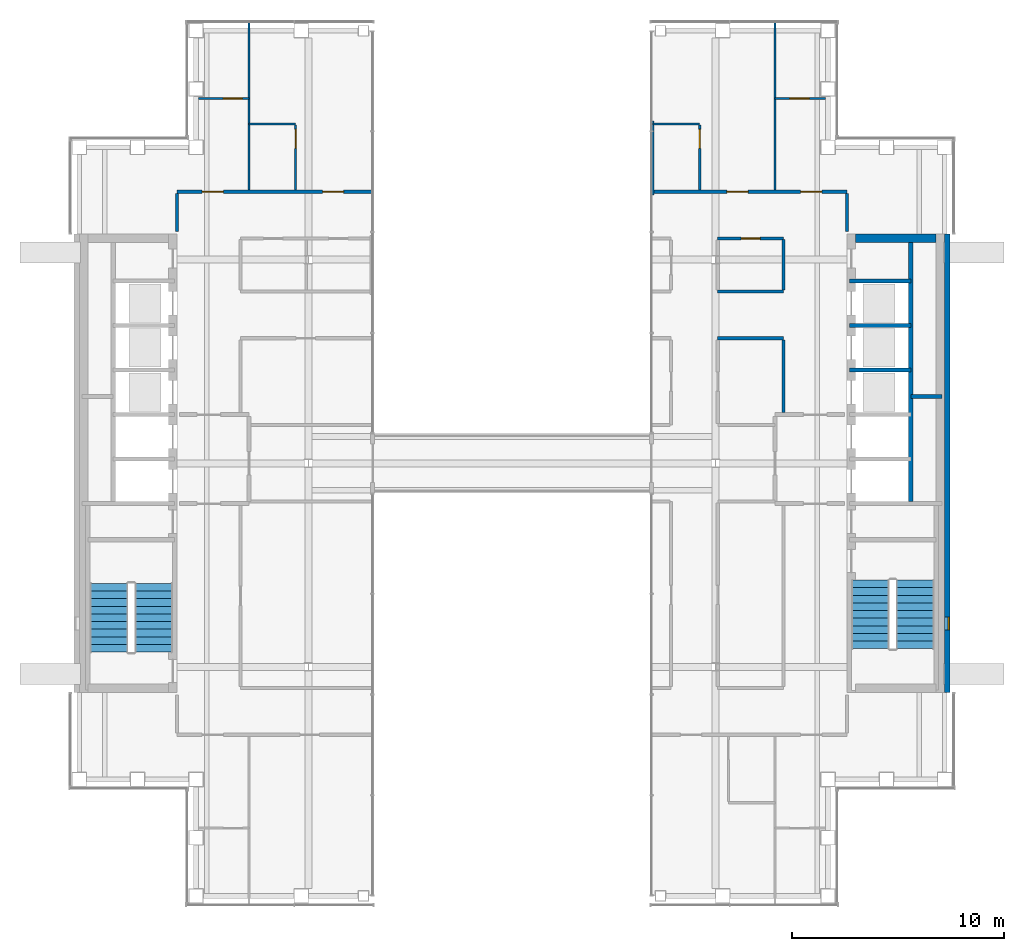
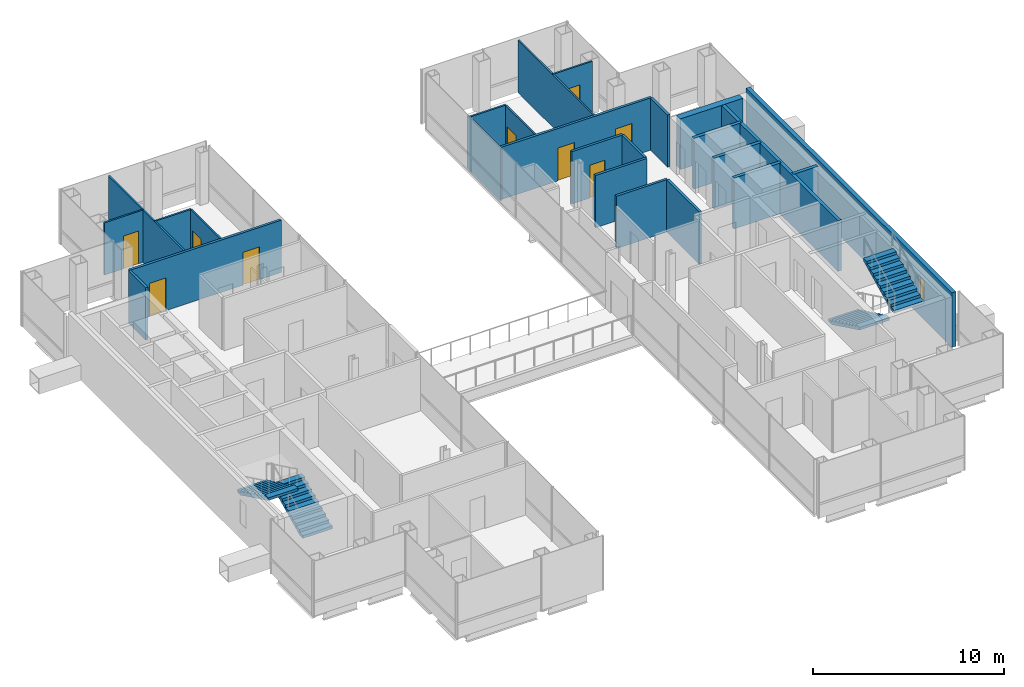
# One storey, part 14 of 16: 25 walls, 9 doors, 4 stair flights, 1 window, 10 openings, 2 elements without a shape of their own.
"""IFC4 building model written with IfcOpenShell, lengths in metres."""

from ifc_helpers import new_model, si_unit, direction, frame, frame_2d, origin, place, context, subcontext, project, spatial, polyline, rectangle, outline, extrude, material, layer, layer_set, type_object, element, fill, aggregate, save


model = new_model("IFC4")

# Units and contexts
model_context = context("Model", 3, precision=1e-05, world=origin(), true_north=direction((0.0, 1.0)))
body_context = subcontext(model_context, "Body", "Model", "MODEL_VIEW")
ifc_project = project(units=[si_unit("LENGTHUNIT", "METRE"), si_unit("AREAUNIT", "SQUARE_METRE"), si_unit("VOLUMEUNIT", "CUBIC_METRE"), si_unit("PLANEANGLEUNIT", "RADIAN"), si_unit("MASSUNIT", "GRAM", prefix="KILO")], contexts=[model_context])

# Site, building, storey
site_placement = place(None, origin())
site = spatial("IfcSite", under=ifc_project, at=site_placement, CompositionType="ELEMENT")
building_placement = place(site_placement, origin())
building = spatial("IfcBuilding", under=site, at=building_placement, Name="Cobrizo Arcos Hotel Tower", CompositionType="ELEMENT")
storey_placement = place(building_placement, frame((0.0, 0.0, 229.5)))
storey = spatial("IfcBuildingStorey", under=building, at=storey_placement, Name="L60", CompositionType="ELEMENT", Elevation=229.5)

# Walls
ifc_material_1 = material(Name="Gypsum board partition")
ifc_layer_1 = layer(ifc_material_1, 0.14990234375)
ifc_layer_set_1 = layer_set([ifc_layer_1], Name="Corridor wall EI 60 150")
wall_type_1 = type_object("IfcWallType", Name="Corridor wall EI 60 150", PredefinedType="PARTITIONING", material=ifc_layer_set_1)
for number, where, z_axis, x_axis, name in (
    (1, (9.699951171875, 5.89990234375, 0.0), (0.0, 0.0, 1.0), (1.0, 0.0, 0.0), "Partition 033"),
    (2, (9.699951171875, 8.10009765625, 0.0), (0.0, 0.0, 1.0), (1.0, 0.0, 0.0), "Partition 038"),
):
    element("IfcWall", number, at=place(storey_placement, frame(where, z_axis=z_axis, x_axis=x_axis)), inside=storey, type_object=wall_type_1, Name=name, PredefinedType="PARTITIONING", context=body_context, shape_type="SweptSolid", body=[
        extrude(rectangle(XDim=3.10009765625, YDim=0.14990234375, at=frame_2d((1.550048828125, 0.0))), origin(), (0.0, 0.0, 1.0), 3.35009765625),
    ])

# Wall, opening, door
wall_1_placement = place(storey_placement, frame((9.699951171875, 10.60009765625, 0.0), z_axis=(0.0, 0.0, 1.0), x_axis=(1.0, 0.0, 0.0)))
wall_1 = element("IfcWall", 3, at=wall_1_placement, inside=storey, type_object=wall_type_1, Name="Partition 043", PredefinedType="PARTITIONING", context=body_context, shape_type="SweptSolid", body=[
    extrude(rectangle(XDim=3.10009765625, YDim=0.14990234375, at=frame_2d((1.550048828125, 0.0))), origin(), (0.0, 0.0, 1.0), 3.35009765625),
])
opening_1_placement = place(wall_1_placement, frame((1.10009765625, 0.0, 0.0)))
opening_1 = element("IfcOpeningElement", 4, at=opening_1_placement, cuts=wall_1, Name="Opening RD-07", PredefinedType="OPENING", context=body_context, shape_type="SweptSolid", body=[
    extrude(rectangle(XDim=0.89990234375, YDim=2.10009765625, at=frame_2d((0.449951171875, 1.050048828125))), frame((0.0, 0.0869140625, 0.0), z_axis=(0.0, -1.0, 0.0), x_axis=(1.0, 0.0, 0.0)), (0.0, 0.0, 1.0), 0.173828125),
])
ifc_material_2 = material(Name="Timber door leaf", Category="wood")
door_type_1 = type_object("IfcDoorType", Name="Room door FD30 900x2100", OperationType="SINGLE_SWING_LEFT", PredefinedType="DOOR", material=ifc_material_2)
door_1_placement = place(opening_1_placement, origin())
door_1 = element("IfcDoor", 5, at=door_1_placement, inside=storey, type_object=door_type_1, Name="Door RD-07", OperationType="SINGLE_SWING_RIGHT", OverallHeight=2.10009765625, OverallWidth=0.89990234375, PredefinedType="DOOR", context=body_context, shape_type="SweptSolid", body=[
    extrude(rectangle(XDim=0.89990234375, YDim=2.10009765625, at=frame_2d((0.449951171875, 1.050048828125))), frame((0.0, 0.02490234375, 0.0), z_axis=(0.0, -1.0, 0.0), x_axis=(1.0, 0.0, 0.0)), (0.0, 0.0, 1.0), 0.050048828125),
])
fill(opening_1, door_1)

# Wall, openings, doors
wall_2_placement = place(storey_placement, frame((-15.800048828125, 12.800048828125, 0.0), z_axis=(0.0, 0.0, 1.0), x_axis=(1.0, 0.0, 0.0)))
wall_2 = element("IfcWall", 6, at=wall_2_placement, inside=storey, type_object=wall_type_1, Name="Partition 044", PredefinedType="PARTITIONING", context=body_context, shape_type="SweptSolid", body=[
    extrude(rectangle(XDim=9.179931640625, YDim=0.14990234375, at=frame_2d((4.58984375, 0.0))), origin(), (0.0, 0.0, 1.0), 3.35009765625),
])
opening_2_placement = place(wall_2_placement, frame((6.866943359375, 0.0, 0.0)))
opening_2 = element("IfcOpeningElement", 7, at=opening_2_placement, cuts=wall_2, Name="Opening GD-02", PredefinedType="OPENING", context=body_context, shape_type="SweptSolid", body=[
    extrude(rectangle(XDim=1.0, YDim=2.10009765625, at=frame_2d((0.5, 1.050048828125))), frame((0.0, 0.0869140625, 0.0), z_axis=(0.0, -1.0, 0.0), x_axis=(1.0, 0.0, 0.0)), (0.0, 0.0, 1.0), 0.173828125),
])
opening_3_placement = place(wall_2_placement, frame((1.19189453125, 0.0, 0.0)))
opening_3 = element("IfcOpeningElement", 8, at=opening_3_placement, cuts=wall_2, Name="Opening GD-05", PredefinedType="OPENING", context=body_context, shape_type="SweptSolid", body=[
    extrude(rectangle(XDim=1.0, YDim=2.10009765625, at=frame_2d((0.5, 1.050048828125))), frame((0.0, 0.0869140625, 0.0), z_axis=(0.0, -1.0, 0.0), x_axis=(1.0, 0.0, 0.0)), (0.0, 0.0, 1.0), 0.173828125),
])
door_type_2 = type_object("IfcDoorType", Name="Guest room door FD30S 1000x2100", OperationType="SINGLE_SWING_LEFT", PredefinedType="DOOR", material=ifc_material_2)
door_2_placement = place(opening_2_placement, origin())
door_2 = element("IfcDoor", 9, at=door_2_placement, inside=storey, type_object=door_type_2, Name="Door GD-02", OperationType="SINGLE_SWING_LEFT", OverallHeight=2.10009765625, OverallWidth=1.0, PredefinedType="DOOR", context=body_context, shape_type="SweptSolid", body=[
    extrude(rectangle(XDim=1.0, YDim=2.10009765625, at=frame_2d((0.5, 1.050048828125))), frame((0.0, 0.02490234375, 0.0), z_axis=(0.0, -1.0, 0.0), x_axis=(1.0, 0.0, 0.0)), (0.0, 0.0, 1.0), 0.050048828125),
])
fill(opening_2, door_2)
door_3_placement = place(opening_3_placement, origin())
door_3 = element("IfcDoor", 10, at=door_3_placement, inside=storey, type_object=door_type_2, Name="Door GD-05", OperationType="SINGLE_SWING_RIGHT", OverallHeight=2.10009765625, OverallWidth=1.0, PredefinedType="DOOR", context=body_context, shape_type="SweptSolid", body=[
    extrude(rectangle(XDim=1.0, YDim=2.10009765625, at=frame_2d((0.5, 1.050048828125))), frame((0.0, 0.02490234375, 0.0), z_axis=(0.0, -1.0, 0.0), x_axis=(1.0, 0.0, 0.0)), (0.0, 0.0, 1.0), 0.050048828125),
])
fill(opening_3, door_3)

wall_3_placement = place(storey_placement, frame((6.64990234375, 12.800048828125, 0.0), z_axis=(0.0, 0.0, 1.0), x_axis=(1.0, 0.0, 0.0)))
wall_3 = element("IfcWall", 11, at=wall_3_placement, inside=storey, type_object=wall_type_1, Name="Partition 045", PredefinedType="PARTITIONING", context=body_context, shape_type="SweptSolid", body=[
    extrude(rectangle(XDim=9.150146484375, YDim=0.14990234375, at=frame_2d((4.5751953125, 0.0))), origin(), (0.0, 0.0, 1.0), 3.35009765625),
])
opening_4_placement = place(wall_3_placement, frame((3.48291015625, 0.0, 0.0)))
opening_4 = element("IfcOpeningElement", 12, at=opening_4_placement, cuts=wall_3, Name="Opening GD-01", PredefinedType="OPENING", context=body_context, shape_type="SweptSolid", body=[
    extrude(rectangle(XDim=1.0, YDim=2.10009765625, at=frame_2d((0.5, 1.050048828125))), frame((0.0, 0.0869140625, 0.0), z_axis=(0.0, -1.0, 0.0), x_axis=(1.0, 0.0, 0.0)), (0.0, 0.0, 1.0), 0.173828125),
])
opening_5_placement = place(wall_3_placement, frame((6.9580078125, 0.0, 0.0)))
opening_5 = element("IfcOpeningElement", 13, at=opening_5_placement, cuts=wall_3, Name="Opening GD-07", PredefinedType="OPENING", context=body_context, shape_type="SweptSolid", body=[
    extrude(rectangle(XDim=1.0, YDim=2.10009765625, at=frame_2d((0.5, 1.050048828125))), frame((0.0, 0.0869140625, 0.0), z_axis=(0.0, -1.0, 0.0), x_axis=(1.0, 0.0, 0.0)), (0.0, 0.0, 1.0), 0.173828125),
])
door_4_placement = place(opening_4_placement, origin())
door_4 = element("IfcDoor", 14, at=door_4_placement, inside=storey, type_object=door_type_2, Name="Door GD-01", OperationType="SINGLE_SWING_RIGHT", OverallHeight=2.10009765625, OverallWidth=1.0, PredefinedType="DOOR", context=body_context, shape_type="SweptSolid", body=[
    extrude(rectangle(XDim=1.0, YDim=2.10009765625, at=frame_2d((0.5, 1.050048828125))), frame((0.0, 0.02490234375, 0.0), z_axis=(0.0, -1.0, 0.0), x_axis=(1.0, 0.0, 0.0)), (0.0, 0.0, 1.0), 0.050048828125),
])
fill(opening_4, door_4)
door_5_placement = place(opening_5_placement, origin())
door_5 = element("IfcDoor", 15, at=door_5_placement, inside=storey, type_object=door_type_2, Name="Door GD-07", OperationType="SINGLE_SWING_LEFT", OverallHeight=2.10009765625, OverallWidth=1.0, PredefinedType="DOOR", context=body_context, shape_type="SweptSolid", body=[
    extrude(rectangle(XDim=1.0, YDim=2.10009765625, at=frame_2d((0.5, 1.050048828125))), frame((0.0, 0.02490234375, 0.0), z_axis=(0.0, -1.0, 0.0), x_axis=(1.0, 0.0, 0.0)), (0.0, 0.0, 1.0), 0.050048828125),
])
fill(opening_5, door_5)

# Walls
wall_4_placement = place(storey_placement, frame((-15.800048828125, 10.919921875, 0.0), z_axis=(0.0, 0.0, 1.0), x_axis=(0.0, 1.0, 0.0)))
element("IfcWall", 16, at=wall_4_placement, inside=storey, type_object=wall_type_1, Name="Partition 053", PredefinedType="PARTITIONING", context=body_context, shape_type="SweptSolid", body=[
    extrude(rectangle(XDim=1.80517578125, YDim=0.14990234375, at=frame_2d((0.902587890625, 0.0))), origin(), (0.0, 0.0, 1.0), 3.35009765625),
])
wall_5_placement = place(storey_placement, frame((12.800048828125, 2.39990234375, 0.0), z_axis=(0.0, 0.0, 1.0), x_axis=(0.0, 1.0, 0.0)))
element("IfcWall", 17, at=wall_5_placement, inside=storey, type_object=wall_type_1, Name="Partition 082", PredefinedType="PARTITIONING", context=body_context, shape_type="SweptSolid", body=[
    extrude(rectangle(XDim=3.425048828125, YDim=0.14990234375, at=frame_2d((1.71240234375, 0.0))), origin(), (0.0, 0.0, 1.0), 3.35009765625),
])
wall_6_placement = place(storey_placement, frame((12.800048828125, 8.175048828125, 0.0), z_axis=(0.0, 0.0, 1.0), x_axis=(0.0, 1.0, 0.0)))
element("IfcWall", 18, at=wall_6_placement, inside=storey, type_object=wall_type_1, Name="Partition 083", PredefinedType="PARTITIONING", context=body_context, shape_type="SweptSolid", body=[
    extrude(rectangle(XDim=2.375, YDim=0.14990234375, at=frame_2d((1.1875, 0.0))), origin(), (0.0, 0.0, 1.0), 3.35009765625),
])
wall_7_placement = place(storey_placement, frame((15.800048828125, 10.919921875, 0.0), z_axis=(0.0, 0.0, 1.0), x_axis=(0.0, 1.0, 0.0)))
element("IfcWall", 19, at=wall_7_placement, inside=storey, type_object=wall_type_1, Name="Partition 085", PredefinedType="PARTITIONING", context=body_context, shape_type="SweptSolid", body=[
    extrude(rectangle(XDim=1.80517578125, YDim=0.14990234375, at=frame_2d((0.902587890625, 0.0))), origin(), (0.0, 0.0, 1.0), 3.35009765625),
])

# Wall, opening, window
ifc_material_3 = material(Name="Aluminium composite panel pale metal", Category="aluminium")
ifc_layer_2 = layer(ifc_material_3, 0.25)
ifc_layer_set_2 = layer_set([ifc_layer_2], Name="EW-1 insulated panel wall 250")
wall_type_2 = type_object("IfcWallType", Name="EW-1 insulated panel wall 250", PredefinedType="SOLIDWALL", material=ifc_layer_set_2)
wall_8_placement = place(storey_placement, frame((20.52490234375, -10.800048828125, 0.0), z_axis=(0.0, 0.0, 1.0), x_axis=(0.0, 1.0, 0.0)))
wall_8 = element("IfcWall", 20, at=wall_8_placement, inside=storey, type_object=wall_type_2, Name="Core face wall L60 E", PredefinedType="SOLIDWALL", context=body_context, shape_type="SweptSolid", body=[
    extrude(rectangle(XDim=21.60009765625, YDim=0.25, at=frame_2d((10.800048828125, 0.0))), origin(), (0.0, 0.0, 1.0), 3.5),
])
opening_6_placement = place(wall_8_placement, frame((2.949951171875, 0.0, 1.0)))
opening_6 = element("IfcOpeningElement", 21, at=opening_6_placement, cuts=wall_8, Name="Opening W-133", PredefinedType="OPENING", context=body_context, shape_type="SweptSolid", body=[
    extrude(rectangle(XDim=0.60009765625, YDim=1.5, at=frame_2d((0.300048828125, 0.75))), frame((0.0, 0.136962890625, 0.0), z_axis=(0.0, -1.0, 0.0), x_axis=(1.0, 0.0, 0.0)), (0.0, 0.0, 1.0), 0.27392578125),
])
ifc_material_4 = material(Name="Aluminium 6063-T6 and clear laminated glass", Category="aluminium")
window_type = type_object("IfcWindowType", Name="W-C1 core stair slot window 600x1500", PartitioningType="SINGLE_PANEL", PredefinedType="WINDOW", material=ifc_material_4)
window_placement = place(opening_6_placement, origin())
window = element("IfcWindow", 22, at=window_placement, inside=storey, type_object=window_type, Name="Core face wall L60 E window W-133", OverallHeight=1.5, OverallWidth=0.60009765625, PartitioningType="SINGLE_PANEL", PredefinedType="WINDOW", context=body_context, shape_type="SweptSolid", body=[
    extrude(rectangle(XDim=0.60009765625, YDim=1.5, at=frame_2d((0.300048828125, 0.75))), frame((0.0, -0.034912109375, 0.0), z_axis=(0.0, -1.0, 0.0), x_axis=(1.0, 0.0, 0.0)), (0.0, 0.0, 1.0), 0.06005859375),
])
fill(opening_6, window)

# Walls
ifc_layer_3 = layer(ifc_material_1, 0.10009765625)
ifc_layer_set_3 = layer_set([ifc_layer_3], Name="Partition EI 30 100")
wall_type_3 = type_object("IfcWallType", Name="Partition EI 30 100", PredefinedType="PARTITIONING", material=ifc_layer_set_3)
wall_9_placement = place(storey_placement, frame((-12.39990234375, 16.0, 0.0), z_axis=(0.0, 0.0, 1.0), x_axis=(1.0, 0.0, 0.0)))
element("IfcWall", 23, at=wall_9_placement, inside=storey, type_object=wall_type_3, Name="Partition 046", PredefinedType="PARTITIONING", context=body_context, shape_type="SweptSolid", body=[
    extrude(rectangle(XDim=2.199951171875, YDim=0.10009765625, at=frame_2d((1.10009765625, 0.0))), origin(), (0.0, 0.0, 1.0), 3.35009765625),
])
wall_10_placement = place(storey_placement, frame((6.64990234375, 16.0, 0.0), z_axis=(0.0, 0.0, 1.0), x_axis=(1.0, 0.0, 0.0)))
element("IfcWall", 24, at=wall_10_placement, inside=storey, type_object=wall_type_3, Name="Partition 047", PredefinedType="PARTITIONING", context=body_context, shape_type="SweptSolid", body=[
    extrude(rectangle(XDim=2.2001953125, YDim=0.10009765625, at=frame_2d((1.10009765625, 0.0))), origin(), (0.0, 0.0, 1.0), 3.35009765625),
])

# Wall, opening, door
wall_11_placement = place(storey_placement, frame((-14.780029296875, 17.199951171875, 0.0), z_axis=(0.0, 0.0, 1.0), x_axis=(1.0, 0.0, 0.0)))
wall_11 = element("IfcWall", 25, at=wall_11_placement, inside=storey, type_object=wall_type_3, Name="Partition 048", PredefinedType="PARTITIONING", context=body_context, shape_type="SweptSolid", body=[
    extrude(rectangle(XDim=2.380126953125, YDim=0.10009765625, at=frame_2d((1.18994140625, 0.0))), origin(), (0.0, 0.0, 1.0), 3.35009765625),
])
opening_7_placement = place(wall_11_placement, frame((1.16796875, 0.0, 0.0)))
opening_7 = element("IfcOpeningElement", 26, at=opening_7_placement, cuts=wall_11, Name="Opening ED-05", PredefinedType="OPENING", context=body_context, shape_type="SweptSolid", body=[
    extrude(rectangle(XDim=0.89990234375, YDim=2.10009765625, at=frame_2d((0.449951171875, 1.050048828125))), frame((0.0, 0.06201171875, 0.0), z_axis=(0.0, -1.0, 0.0), x_axis=(1.0, 0.0, 0.0)), (0.0, 0.0, 1.0), 0.1240234375),
])
door_type_3 = type_object("IfcDoorType", Name="En-suite door 900x2100", OperationType="SINGLE_SWING_LEFT", PredefinedType="DOOR", material=ifc_material_2)
door_6_placement = place(opening_7_placement, origin())
door_6 = element("IfcDoor", 27, at=door_6_placement, inside=storey, type_object=door_type_3, Name="Door ED-05", OperationType="SINGLE_SWING_LEFT", OverallHeight=2.10009765625, OverallWidth=0.89990234375, PredefinedType="DOOR", context=body_context, shape_type="SweptSolid", body=[
    extrude(rectangle(XDim=0.89990234375, YDim=2.10009765625, at=frame_2d((0.449951171875, 1.050048828125))), frame((0.0, 0.02490234375, 0.0), z_axis=(0.0, -1.0, 0.0), x_axis=(1.0, 0.0, 0.0)), (0.0, 0.0, 1.0), 0.050048828125),
])
fill(opening_7, door_6)

wall_12_placement = place(storey_placement, frame((12.39990234375, 17.199951171875, 0.0), z_axis=(0.0, 0.0, 1.0), x_axis=(1.0, 0.0, 0.0)))
wall_12 = element("IfcWall", 28, at=wall_12_placement, inside=storey, type_object=wall_type_3, Name="Partition 049", PredefinedType="PARTITIONING", context=body_context, shape_type="SweptSolid", body=[
    extrude(rectangle(XDim=2.380126953125, YDim=0.10009765625, at=frame_2d((1.18994140625, 0.0))), origin(), (0.0, 0.0, 1.0), 3.35009765625),
])
opening_8_placement = place(wall_12_placement, frame((0.705078125, 0.0, 0.0)))
opening_8 = element("IfcOpeningElement", 29, at=opening_8_placement, cuts=wall_12, Name="Opening ED-07", PredefinedType="OPENING", context=body_context, shape_type="SweptSolid", body=[
    extrude(rectangle(XDim=0.89990234375, YDim=2.10009765625, at=frame_2d((0.449951171875, 1.050048828125))), frame((0.0, 0.06201171875, 0.0), z_axis=(0.0, -1.0, 0.0), x_axis=(1.0, 0.0, 0.0)), (0.0, 0.0, 1.0), 0.1240234375),
])
door_7_placement = place(opening_8_placement, origin())
door_7 = element("IfcDoor", 30, at=door_7_placement, inside=storey, type_object=door_type_3, Name="Door ED-07", OperationType="SINGLE_SWING_LEFT", OverallHeight=2.10009765625, OverallWidth=0.89990234375, PredefinedType="DOOR", context=body_context, shape_type="SweptSolid", body=[
    extrude(rectangle(XDim=0.89990234375, YDim=2.10009765625, at=frame_2d((0.449951171875, 1.050048828125))), frame((0.0, 0.02490234375, 0.0), z_axis=(0.0, -1.0, 0.0), x_axis=(1.0, 0.0, 0.0)), (0.0, 0.0, 1.0), 0.050048828125),
])
fill(opening_8, door_7)

# Wall
wall_13_placement = place(storey_placement, frame((-12.39990234375, 12.875, 0.0), z_axis=(0.0, 0.0, 1.0), x_axis=(0.0, 1.0, 0.0)))
element("IfcWall", 31, at=wall_13_placement, inside=storey, type_object=wall_type_3, Name="Partition 059", PredefinedType="PARTITIONING", context=body_context, shape_type="SweptSolid", body=[
    extrude(rectangle(XDim=7.905029296875, YDim=0.10009765625, at=frame_2d((3.95263671875, 0.0))), origin(), (0.0, 0.0, 1.0), 3.35009765625),
])

# Wall, opening, door
wall_14_placement = place(storey_placement, frame((-10.199951171875, 12.875, 0.0), z_axis=(0.0, 0.0, 1.0), x_axis=(0.0, 1.0, 0.0)))
wall_14 = element("IfcWall", 32, at=wall_14_placement, inside=storey, type_object=wall_type_3, Name="Partition 060", PredefinedType="PARTITIONING", context=body_context, shape_type="SweptSolid", body=[
    extrude(rectangle(XDim=3.074951171875, YDim=0.10009765625, at=frame_2d((1.53759765625, 0.0))), origin(), (0.0, 0.0, 1.0), 3.35009765625),
])
opening_9_placement = place(wall_14_placement, frame((1.970947265625, 0.0, 0.0)))
opening_9 = element("IfcOpeningElement", 33, at=opening_9_placement, cuts=wall_14, Name="Opening ED-02", PredefinedType="OPENING", context=body_context, shape_type="SweptSolid", body=[
    extrude(rectangle(XDim=0.89990234375, YDim=2.10009765625, at=frame_2d((0.449951171875, 1.050048828125))), frame((0.0, 0.06201171875, 0.0), z_axis=(0.0, -1.0, 0.0), x_axis=(1.0, 0.0, 0.0)), (0.0, 0.0, 1.0), 0.1240234375),
])
door_8_placement = place(opening_9_placement, origin())
door_8 = element("IfcDoor", 34, at=door_8_placement, inside=storey, type_object=door_type_3, Name="Door ED-02", OperationType="SINGLE_SWING_LEFT", OverallHeight=2.10009765625, OverallWidth=0.89990234375, PredefinedType="DOOR", context=body_context, shape_type="SweptSolid", body=[
    extrude(rectangle(XDim=0.89990234375, YDim=2.10009765625, at=frame_2d((0.449951171875, 1.050048828125))), frame((0.0, 0.02490234375, 0.0), z_axis=(0.0, -1.0, 0.0), x_axis=(1.0, 0.0, 0.0)), (0.0, 0.0, 1.0), 0.050048828125),
])
fill(opening_9, door_8)

# Wall
wall_15_placement = place(storey_placement, frame((6.64990234375, 12.659912109375, 0.0), z_axis=(0.0, 0.0, 1.0), x_axis=(0.0, 1.0, 0.0)))
element("IfcWall", 35, at=wall_15_placement, inside=storey, type_object=wall_type_3, Name="Partition 065", PredefinedType="PARTITIONING", context=body_context, shape_type="SweptSolid", body=[
    extrude(rectangle(XDim=3.47998046875, YDim=0.10009765625, at=frame_2d((1.739990234375, 0.0))), origin(), (0.0, 0.0, 1.0), 3.35009765625),
])

# Wall, opening, door
wall_16_placement = place(storey_placement, frame((8.85009765625, 12.875, 0.0), z_axis=(0.0, 0.0, 1.0), x_axis=(0.0, 1.0, 0.0)))
wall_16 = element("IfcWall", 36, at=wall_16_placement, inside=storey, type_object=wall_type_3, Name="Partition 069", PredefinedType="PARTITIONING", context=body_context, shape_type="SweptSolid", body=[
    extrude(rectangle(XDim=3.074951171875, YDim=0.10009765625, at=frame_2d((1.53759765625, 0.0))), origin(), (0.0, 0.0, 1.0), 3.35009765625),
])
opening_10_placement = place(wall_16_placement, frame((1.970947265625, 0.0, 0.0)))
opening_10 = element("IfcOpeningElement", 37, at=opening_10_placement, cuts=wall_16, Name="Opening ED-01", PredefinedType="OPENING", context=body_context, shape_type="SweptSolid", body=[
    extrude(rectangle(XDim=0.89990234375, YDim=2.10009765625, at=frame_2d((0.449951171875, 1.050048828125))), frame((0.0, 0.06201171875, 0.0), z_axis=(0.0, -1.0, 0.0), x_axis=(1.0, 0.0, 0.0)), (0.0, 0.0, 1.0), 0.1240234375),
])
door_9_placement = place(opening_10_placement, origin())
door_9 = element("IfcDoor", 38, at=door_9_placement, inside=storey, type_object=door_type_3, Name="Door ED-01", OperationType="SINGLE_SWING_RIGHT", OverallHeight=2.10009765625, OverallWidth=0.89990234375, PredefinedType="DOOR", context=body_context, shape_type="SweptSolid", body=[
    extrude(rectangle(XDim=0.89990234375, YDim=2.10009765625, at=frame_2d((0.449951171875, 1.050048828125))), frame((0.0, 0.02490234375, 0.0), z_axis=(0.0, -1.0, 0.0), x_axis=(1.0, 0.0, 0.0)), (0.0, 0.0, 1.0), 0.050048828125),
])
fill(opening_10, door_9)

# Walls
wall_17_placement = place(storey_placement, frame((12.39990234375, 12.875, 0.0), z_axis=(0.0, 0.0, 1.0), x_axis=(0.0, 1.0, 0.0)))
element("IfcWall", 39, at=wall_17_placement, inside=storey, type_object=wall_type_3, Name="Partition 080", PredefinedType="PARTITIONING", context=body_context, shape_type="SweptSolid", body=[
    extrude(rectangle(XDim=7.905029296875, YDim=0.10009765625, at=frame_2d((3.95263671875, 0.0))), origin(), (0.0, 0.0, 1.0), 3.35009765625),
])
ifc_material_5 = material(Name="Concrete f'c 40 MPa", Category="concrete")
ifc_layer_4 = layer(ifc_material_5, 0.39990234375)
ifc_layer_set_4 = layer_set([ifc_layer_4], Name="RC core wall 400 f'c 40")
wall_type_4 = type_object("IfcWallType", Name="RC core wall 400 f'c 40", PredefinedType="SHEAR", material=ifc_layer_set_4)
wall_18_placement = place(storey_placement, frame((16.199951171875, 10.60009765625, 0.0), z_axis=(0.0, 0.0, 1.0), x_axis=(1.0, 0.0, 0.0)))
element("IfcWall", 40, at=wall_18_placement, inside=storey, type_object=wall_type_4, Name="Core wall CW4, east core, north end, L60", PredefinedType="SHEAR", context=body_context, shape_type="SweptSolid", body=[
    extrude(rectangle(XDim=3.800048828125, YDim=0.39990234375, at=frame_2d((1.89990234375, 0.0))), origin(), (0.0, 0.0, 1.0), 3.25),
])
ifc_layer_5 = layer(ifc_material_1, 0.199951171875)
ifc_layer_set_5 = layer_set([ifc_layer_5], Name="Shaft wall EI 120 200")
wall_type_5 = type_object("IfcWallType", Name="Shaft wall EI 120 200", PredefinedType="PARTITIONING", material=ifc_layer_set_5)
wall_19_placement = place(storey_placement, frame((18.800048828125, 3.14990234375, 0.0), z_axis=(0.0, 0.0, 1.0), x_axis=(1.0, 0.0, 0.0)))
element("IfcWall", 41, at=wall_19_placement, inside=storey, type_object=wall_type_5, Name="Partition 028", PredefinedType="PARTITIONING", context=body_context, shape_type="SweptSolid", body=[
    extrude(rectangle(XDim=1.47998046875, YDim=0.199951171875, at=frame_2d((0.739990234375, 0.0))), origin(), (0.0, 0.0, 1.0), 3.25),
])
for number, where, z_axis, x_axis, name in (
    (42, (15.919921875, 4.39990234375, 0.0), (0.0, 0.0, 1.0), (1.0, 0.0, 0.0), "Partition 030"),
    (43, (15.919921875, 6.5, 0.0), (0.0, 0.0, 1.0), (1.0, 0.0, 0.0), "Partition 035"),
    (44, (15.919921875, 8.60009765625, 0.0), (0.0, 0.0, 1.0), (1.0, 0.0, 0.0), "Partition 040"),
):
    element("IfcWall", number, at=place(storey_placement, frame(where, z_axis=z_axis, x_axis=x_axis)), inside=storey, type_object=wall_type_5, Name=name, PredefinedType="PARTITIONING", context=body_context, shape_type="SweptSolid", body=[
        extrude(rectangle(XDim=2.880126953125, YDim=0.199951171875, at=frame_2d((1.43994140625, 0.0))), origin(), (0.0, 0.0, 1.0), 3.25),
    ])
wall_20_placement = place(storey_placement, frame((18.800048828125, -1.800048828125, 0.0), z_axis=(0.0, 0.0, 1.0), x_axis=(0.0, 1.0, 0.0)))
element("IfcWall", 45, at=wall_20_placement, inside=storey, type_object=wall_type_5, Name="Partition 086", PredefinedType="PARTITIONING", context=body_context, shape_type="SweptSolid", body=[
    extrude(rectangle(XDim=12.47998046875, YDim=0.199951171875, at=frame_2d((6.239990234375, 0.0))), origin(), (0.0, 0.0, 1.0), 3.25),
])

# Stair, stair flights
stair_type = type_object("IfcStairType", Name="Exit stair", PredefinedType="HALF_TURN_STAIR", material=ifc_material_5)
stair_1_placement = place(storey_placement, origin())
stair_1 = element("IfcStair", 46, at=stair_1_placement, inside=storey, type_object=stair_type, Name="L60 Exit stair ST-W", PredefinedType="HALF_TURN_STAIR")
stair_flight_type = type_object("IfcStairFlightType", Name="Exit stair flight", PredefinedType="STRAIGHT", material=ifc_material_5)
stair_flight_1_placement = place(storey_placement, frame((-16.89990234375, -8.89990234375, 0.0), z_axis=(0.0, 0.0, 1.0), x_axis=(0.0, 1.0, 0.0)))
stair_flight_1 = element("IfcStairFlight", 47, at=stair_flight_1_placement, type_object=stair_flight_type, Name="ST-W flight 1", NumberOfRisers=10, NumberOfTreads=9, PredefinedType="STRAIGHT", RiserHeight=0.175, TreadLength=0.36, context=body_context, shape_type="SweptSolid", body=[
    extrude(outline(polyline([(0.0, 0.0), (0.0, 0.175048828125), (0.360107421875, 0.175048828125), (0.360107421875, 0.35009765625), (0.719970703125, 0.35009765625), (0.719970703125, 0.52490234375), (1.080078125, 0.52490234375), (1.080078125, 0.699951171875), (1.43994140625, 0.699951171875), (1.43994140625, 0.875), (1.800048828125, 0.875), (1.800048828125, 1.050048828125), (2.159912109375, 1.050048828125), (2.159912109375, 1.22509765625), (2.52001953125, 1.22509765625), (2.52001953125, 1.39990234375), (2.8798828125, 1.39990234375), (2.8798828125, 1.574951171875), (3.239990234375, 1.574951171875), (3.239990234375, 1.75), (3.239990234375, 1.408203125), (0.3427734375, 0.0), (0.0, 0.0)])), frame((0.0, 0.89990234375, 0.0), z_axis=(0.0, -1.0, 0.0), x_axis=(1.0, 0.0, 0.0)), (0.0, 0.0, 1.0), 1.800048828125),
])
stair_flight_2_placement = place(storey_placement, frame((-19.0, -5.659912109375, 1.75), z_axis=(0.0, 0.0, 1.0), x_axis=(0.0, -1.0, 0.0)))
stair_flight_2 = element("IfcStairFlight", 48, at=stair_flight_2_placement, type_object=stair_flight_type, Name="ST-W flight 2", NumberOfRisers=10, NumberOfTreads=9, PredefinedType="STRAIGHT", RiserHeight=0.175, TreadLength=0.36, context=body_context, shape_type="SweptSolid", body=[
    extrude(outline(polyline([(0.0, 0.0), (0.0, 0.175048828125), (0.360107421875, 0.175048828125), (0.360107421875, 0.35009765625), (0.719970703125, 0.35009765625), (0.719970703125, 0.52490234375), (1.080078125, 0.52490234375), (1.080078125, 0.699951171875), (1.43994140625, 0.699951171875), (1.43994140625, 0.875), (1.800048828125, 0.875), (1.800048828125, 1.050048828125), (2.159912109375, 1.050048828125), (2.159912109375, 1.22509765625), (2.52001953125, 1.22509765625), (2.52001953125, 1.39990234375), (2.8798828125, 1.39990234375), (2.8798828125, 1.574951171875), (3.239990234375, 1.574951171875), (3.239990234375, 1.75), (3.239990234375, 1.408203125), (0.3427734375, 0.0), (0.0, 0.0)])), frame((0.0, 0.89990234375, 0.0), z_axis=(0.0, -1.0, 0.0), x_axis=(1.0, 0.0, 0.0)), (0.0, 0.0, 1.0), 1.800048828125),
])
aggregate(stair_1, [stair_flight_1, stair_flight_2])

stair_2_placement = place(storey_placement, origin())
stair_2 = element("IfcStair", 49, at=stair_2_placement, inside=storey, type_object=stair_type, Name="L60 Exit stair ST-E", PredefinedType="HALF_TURN_STAIR")
stair_flight_3_placement = place(storey_placement, frame((16.89990234375, -5.5, 0.0), z_axis=(0.0, 0.0, 1.0), x_axis=(0.0, -1.0, 0.0)))
stair_flight_3 = element("IfcStairFlight", 50, at=stair_flight_3_placement, type_object=stair_flight_type, Name="ST-E flight 1", NumberOfRisers=10, NumberOfTreads=9, PredefinedType="STRAIGHT", RiserHeight=0.175, TreadLength=0.36, context=body_context, shape_type="SweptSolid", body=[
    extrude(outline(polyline([(0.0, 0.0), (0.0, 0.175048828125), (0.360107421875, 0.175048828125), (0.360107421875, 0.35009765625), (0.719970703125, 0.35009765625), (0.719970703125, 0.52490234375), (1.080078125, 0.52490234375), (1.080078125, 0.699951171875), (1.43994140625, 0.699951171875), (1.43994140625, 0.875), (1.800048828125, 0.875), (1.800048828125, 1.050048828125), (2.159912109375, 1.050048828125), (2.159912109375, 1.22509765625), (2.52001953125, 1.22509765625), (2.52001953125, 1.39990234375), (2.8798828125, 1.39990234375), (2.8798828125, 1.574951171875), (3.239990234375, 1.574951171875), (3.239990234375, 1.75), (3.239990234375, 1.408203125), (0.3427734375, 0.0), (0.0, 0.0)])), frame((0.0, 0.89990234375, 0.0), z_axis=(0.0, -1.0, 0.0), x_axis=(1.0, 0.0, 0.0)), (0.0, 0.0, 1.0), 1.800048828125),
])
stair_flight_4_placement = place(storey_placement, frame((19.0, -8.739990234375, 1.75), z_axis=(0.0, 0.0, 1.0), x_axis=(0.0, 1.0, 0.0)))
stair_flight_4 = element("IfcStairFlight", 51, at=stair_flight_4_placement, type_object=stair_flight_type, Name="ST-E flight 2", NumberOfRisers=10, NumberOfTreads=9, PredefinedType="STRAIGHT", RiserHeight=0.175, TreadLength=0.36, context=body_context, shape_type="SweptSolid", body=[
    extrude(outline(polyline([(0.0, 0.0), (0.0, 0.175048828125), (0.360107421875, 0.175048828125), (0.360107421875, 0.35009765625), (0.719970703125, 0.35009765625), (0.719970703125, 0.52490234375), (1.080078125, 0.52490234375), (1.080078125, 0.699951171875), (1.43994140625, 0.699951171875), (1.43994140625, 0.875), (1.800048828125, 0.875), (1.800048828125, 1.050048828125), (2.159912109375, 1.050048828125), (2.159912109375, 1.22509765625), (2.52001953125, 1.22509765625), (2.52001953125, 1.39990234375), (2.8798828125, 1.39990234375), (2.8798828125, 1.574951171875), (3.239990234375, 1.574951171875), (3.239990234375, 1.75), (3.239990234375, 1.408203125), (0.3427734375, 0.0), (0.0, 0.0)])), frame((0.0, 0.89990234375, 0.0), z_axis=(0.0, -1.0, 0.0), x_axis=(1.0, 0.0, 0.0)), (0.0, 0.0, 1.0), 1.800048828125),
])
aggregate(stair_2, [stair_flight_3, stair_flight_4])

save(model, "model.ifc")
